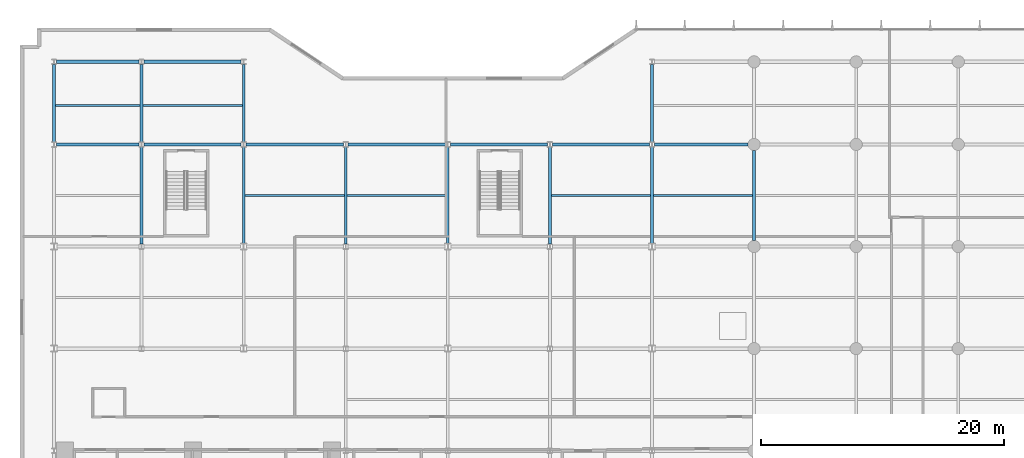
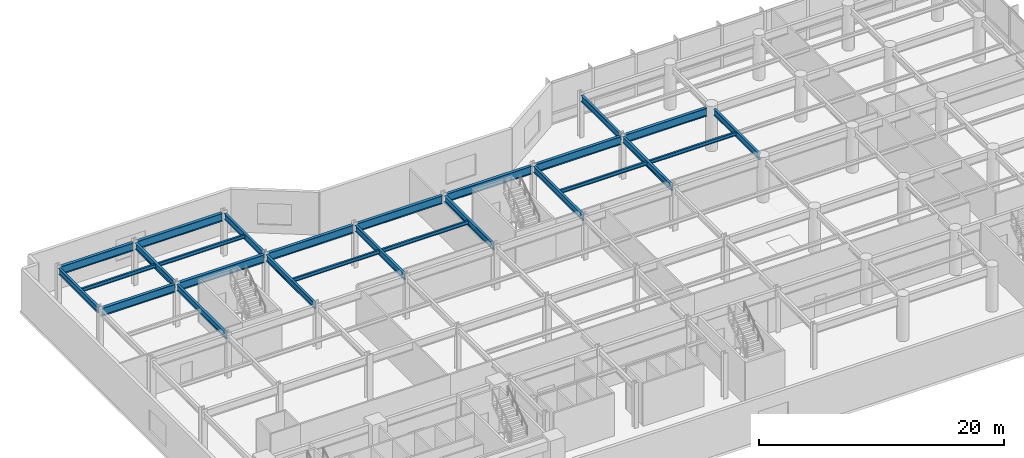
# One storey, part 4 of 26: 26 beams.
"""IFC4 building model written with IfcOpenShell, lengths in metres."""

from ifc_helpers import new_model, si_unit, direction, frame, origin, origin_2d, place, context, subcontext, project, spatial, i_section, extrude, material, material_profile, profile_set, type_object, element, save


model = new_model("IFC4")

# Units and contexts
model_context = context("Model", 3, precision=1e-05, world=origin(), true_north=direction((0.0, 1.0)))
body_context = subcontext(model_context, "Body", "Model", "MODEL_VIEW")
ifc_project = project(units=[si_unit("LENGTHUNIT", "METRE"), si_unit("AREAUNIT", "SQUARE_METRE"), si_unit("VOLUMEUNIT", "CUBIC_METRE"), si_unit("PLANEANGLEUNIT", "RADIAN"), si_unit("MASSUNIT", "GRAM", prefix="KILO")], contexts=[model_context])

# Site, building, storey
site_placement = place(None, origin())
site = spatial("IfcSite", under=ifc_project, at=site_placement, CompositionType="ELEMENT")
building_placement = place(site_placement, origin())
building = spatial("IfcBuilding", under=site, at=building_placement, Name="Varnakote Quay Hospital", CompositionType="ELEMENT")
storey_placement = place(building_placement, frame((0.0, 0.0, 9.0)))
storey = spatial("IfcBuildingStorey", under=building, at=storey_placement, Name="L02", CompositionType="ELEMENT", Elevation=9.0)

# Beams
ifc_material_1 = material(Name="Structural steel AS/NZS 3679.1 Grade 350 L0 (fy 340 MPa)", Category="steel")
ifc_material_profile_1 = material_profile(ifc_material_1, i_section(OverallWidth=0.22802734375, OverallDepth=0.60205078125, WebThickness=0.010498046875, FlangeThickness=0.014892578125, FilletRadius=0.013916015625, at=origin_2d()), Name="610UB101")
ifc_profile_set_1 = profile_set([ifc_material_profile_1], Name="Structural steel AS/NZS 3679.1 Grade 350 L0 (fy 340 MPa)")
beam_type_1 = type_object("IfcBeamType", Name="BM-STL-610UB101", PredefinedType="BEAM", material=ifc_profile_set_1)
beam_1_placement = place(storey_placement, frame((1.199951171875, 37.409912109375, 3.948974609375), z_axis=(0.0, 1.0, 0.0), x_axis=(-1.0, 0.0, 0.0)))
element("IfcBeam", 1, at=beam_1_placement, inside=storey, type_object=beam_type_1, Name="L02 Primary Tie Beam", PredefinedType="BEAM", context=body_context, shape_type="SweptSolid", body=[
    extrude(i_section(OverallWidth=0.22802734375, OverallDepth=0.60205078125, WebThickness=0.010498046875, FlangeThickness=0.014892578125, FilletRadius=0.013916015625, at=origin_2d()), origin(), (0.0, 0.0, 1.0), 6.380126953125),
])
beam_2_placement = place(storey_placement, frame((8.39990234375, 29.010009765625, 3.948974609375), z_axis=(0.0, 1.0, 0.0), x_axis=(-1.0, 0.0, 0.0)))
element("IfcBeam", 2, at=beam_2_placement, inside=storey, type_object=beam_type_1, Name="L02 Primary Tie Beam", PredefinedType="BEAM", context=body_context, shape_type="SweptSolid", body=[
    extrude(i_section(OverallWidth=0.22802734375, OverallDepth=0.60205078125, WebThickness=0.010498046875, FlangeThickness=0.014892578125, FilletRadius=0.013916015625, at=origin_2d()), origin(), (0.0, 0.0, 1.0), 7.97998046875),
])
beam_3_placement = place(storey_placement, frame((8.39990234375, 37.409912109375, 3.948974609375), z_axis=(0.0, 1.0, 0.0), x_axis=(-1.0, 0.0, 0.0)))
element("IfcBeam", 3, at=beam_3_placement, inside=storey, type_object=beam_type_1, Name="L02 Primary Tie Beam", PredefinedType="BEAM", context=body_context, shape_type="SweptSolid", body=[
    extrude(i_section(OverallWidth=0.22802734375, OverallDepth=0.60205078125, WebThickness=0.010498046875, FlangeThickness=0.014892578125, FilletRadius=0.013916015625, at=origin_2d()), origin(), (0.0, 0.0, 1.0), 6.380126953125),
])
beam_4_placement = place(storey_placement, frame((16.800048828125, 29.06494140625, 3.948974609375), z_axis=(0.0, 1.0, 0.0), x_axis=(-1.0, 0.0, 0.0)))
element("IfcBeam", 4, at=beam_4_placement, inside=storey, type_object=beam_type_1, Name="L02 Primary Tie Beam", PredefinedType="BEAM", context=body_context, shape_type="SweptSolid", body=[
    extrude(i_section(OverallWidth=0.22802734375, OverallDepth=0.60205078125, WebThickness=0.010498046875, FlangeThickness=0.014892578125, FilletRadius=0.013916015625, at=origin_2d()), origin(), (0.0, 0.0, 1.0), 7.925048828125),
])
beam_5_placement = place(storey_placement, frame((16.800048828125, 37.409912109375, 3.948974609375), z_axis=(0.0, 1.0, 0.0), x_axis=(-1.0, 0.0, 0.0)))
element("IfcBeam", 5, at=beam_5_placement, inside=storey, type_object=beam_type_1, Name="L02 Primary Tie Beam", PredefinedType="BEAM", context=body_context, shape_type="SweptSolid", body=[
    extrude(i_section(OverallWidth=0.22802734375, OverallDepth=0.60205078125, WebThickness=0.010498046875, FlangeThickness=0.014892578125, FilletRadius=0.013916015625, at=origin_2d()), origin(), (0.0, 0.0, 1.0), 6.380126953125),
])
beam_6_placement = place(storey_placement, frame((25.199951171875, 29.010009765625, 3.948974609375), z_axis=(0.0, 1.0, 0.0), x_axis=(-1.0, 0.0, 0.0)))
element("IfcBeam", 6, at=beam_6_placement, inside=storey, type_object=beam_type_1, Name="L02 Primary Tie Beam", PredefinedType="BEAM", context=body_context, shape_type="SweptSolid", body=[
    extrude(i_section(OverallWidth=0.22802734375, OverallDepth=0.60205078125, WebThickness=0.010498046875, FlangeThickness=0.014892578125, FilletRadius=0.013916015625, at=origin_2d()), origin(), (0.0, 0.0, 1.0), 7.97998046875),
])
beam_7_placement = place(storey_placement, frame((33.60009765625, 29.06494140625, 3.948974609375), z_axis=(0.0, 1.0, 0.0), x_axis=(-1.0, 0.0, 0.0)))
element("IfcBeam", 7, at=beam_7_placement, inside=storey, type_object=beam_type_1, Name="L02 Primary Tie Beam", PredefinedType="BEAM", context=body_context, shape_type="SweptSolid", body=[
    extrude(i_section(OverallWidth=0.22802734375, OverallDepth=0.60205078125, WebThickness=0.010498046875, FlangeThickness=0.014892578125, FilletRadius=0.013916015625, at=origin_2d()), origin(), (0.0, 0.0, 1.0), 7.925048828125),
])
beam_8_placement = place(storey_placement, frame((42.0, 29.010009765625, 3.948974609375), z_axis=(0.0, 1.0, 0.0), x_axis=(-1.0, 0.0, 0.0)))
element("IfcBeam", 8, at=beam_8_placement, inside=storey, type_object=beam_type_1, Name="L02 Primary Tie Beam", PredefinedType="BEAM", context=body_context, shape_type="SweptSolid", body=[
    extrude(i_section(OverallWidth=0.22802734375, OverallDepth=0.60205078125, WebThickness=0.010498046875, FlangeThickness=0.014892578125, FilletRadius=0.013916015625, at=origin_2d()), origin(), (0.0, 0.0, 1.0), 7.97998046875),
])
beam_9_placement = place(storey_placement, frame((50.39990234375, 29.06494140625, 3.948974609375), z_axis=(0.0, 1.0, 0.0), x_axis=(-1.0, 0.0, 0.0)))
element("IfcBeam", 9, at=beam_9_placement, inside=storey, type_object=beam_type_1, Name="L02 Primary Tie Beam", PredefinedType="BEAM", context=body_context, shape_type="SweptSolid", body=[
    extrude(i_section(OverallWidth=0.22802734375, OverallDepth=0.60205078125, WebThickness=0.010498046875, FlangeThickness=0.014892578125, FilletRadius=0.013916015625, at=origin_2d()), origin(), (0.0, 0.0, 1.0), 7.925048828125),
])
beam_10_placement = place(storey_placement, frame((50.39990234375, 37.409912109375, 3.948974609375), z_axis=(0.0, 1.0, 0.0), x_axis=(-1.0, 0.0, 0.0)))
element("IfcBeam", 10, at=beam_10_placement, inside=storey, type_object=beam_type_1, Name="L02 Primary Tie Beam", PredefinedType="BEAM", context=body_context, shape_type="SweptSolid", body=[
    extrude(i_section(OverallWidth=0.22802734375, OverallDepth=0.60205078125, WebThickness=0.010498046875, FlangeThickness=0.014892578125, FilletRadius=0.013916015625, at=origin_2d()), origin(), (0.0, 0.0, 1.0), 6.380126953125),
])
beam_11_placement = place(storey_placement, frame((58.800048828125, 29.300048828125, 3.948974609375), z_axis=(0.0, 1.0, 0.0), x_axis=(-1.0, 0.0, 0.0)))
element("IfcBeam", 11, at=beam_11_placement, inside=storey, type_object=beam_type_1, Name="L02 Primary Tie Beam", PredefinedType="BEAM", context=body_context, shape_type="SweptSolid", body=[
    extrude(i_section(OverallWidth=0.22802734375, OverallDepth=0.60205078125, WebThickness=0.010498046875, FlangeThickness=0.014892578125, FilletRadius=0.013916015625, at=origin_2d()), origin(), (0.0, 0.0, 1.0), 7.39990234375),
])
ifc_material_2 = material(Name="Structural steel AS/NZS 3678 Grade 350 (fy 340 MPa)", Category="steel")
ifc_material_profile_2 = material_profile(ifc_material_2, i_section(OverallWidth=0.27490234375, OverallDepth=0.800048828125, WebThickness=0.010009765625, FlangeThickness=0.02001953125, at=origin_2d()), Name="800WB146")
ifc_profile_set_2 = profile_set([ifc_material_profile_2], Name="Structural steel AS/NZS 3678 Grade 350 (fy 340 MPa)")
beam_type_2 = type_object("IfcBeamType", Name="BM-STL-800WB146", PredefinedType="BEAM", material=ifc_profile_set_2)
beam_12_placement = place(storey_placement, frame((1.39990234375, 37.199951171875, 3.85009765625), z_axis=(1.0, 0.0, 0.0), x_axis=(0.0, 1.0, 0.0)))
element("IfcBeam", 12, at=beam_12_placement, inside=storey, type_object=beam_type_2, Name="L02 Primary Floor Beam", PredefinedType="BEAM", context=body_context, shape_type="SweptSolid", body=[
    extrude(i_section(OverallWidth=0.27490234375, OverallDepth=0.800048828125, WebThickness=0.010009765625, FlangeThickness=0.02001953125, at=origin_2d()), origin(), (0.0, 0.0, 1.0), 6.800048828125),
])
for number, where, z_axis, x_axis, name in (
    (13, (8.60009765625, 37.199951171875, 3.85009765625), (1.0, 0.0, 0.0), (0.0, 1.0, 0.0), "L02 Primary Floor Beam"),
    (14, (17.0, 37.199951171875, 3.85009765625), (1.0, 0.0, 0.0), (0.0, 1.0, 0.0), "L02 Primary Floor Beam"),
    (15, (25.39990234375, 37.199951171875, 3.85009765625), (1.0, 0.0, 0.0), (0.0, 1.0, 0.0), "L02 Primary Floor Beam"),
    (16, (33.800048828125, 37.199951171875, 3.85009765625), (1.0, 0.0, 0.0), (0.0, 1.0, 0.0), "L02 Primary Floor Beam"),
    (17, (42.199951171875, 37.199951171875, 3.85009765625), (1.0, 0.0, 0.0), (0.0, 1.0, 0.0), "L02 Primary Floor Beam"),
):
    element("IfcBeam", number, at=place(storey_placement, frame(where, z_axis=z_axis, x_axis=x_axis)), inside=storey, type_object=beam_type_2, Name=name, PredefinedType="BEAM", context=body_context, shape_type="SweptSolid", body=[
        extrude(i_section(OverallWidth=0.27490234375, OverallDepth=0.800048828125, WebThickness=0.010009765625, FlangeThickness=0.02001953125, at=origin_2d()), origin(), (0.0, 0.0, 1.0), 8.0),
    ])
beam_13_placement = place(storey_placement, frame((50.60009765625, 37.199951171875, 3.85009765625), z_axis=(1.0, 0.0, 0.0), x_axis=(0.0, 1.0, 0.0)))
element("IfcBeam", 18, at=beam_13_placement, inside=storey, type_object=beam_type_2, Name="L02 Primary Floor Beam", PredefinedType="BEAM", context=body_context, shape_type="SweptSolid", body=[
    extrude(i_section(OverallWidth=0.27490234375, OverallDepth=0.800048828125, WebThickness=0.010009765625, FlangeThickness=0.02001953125, at=origin_2d()), origin(), (0.0, 0.0, 1.0), 7.699951171875),
])
beam_14_placement = place(storey_placement, frame((1.39990234375, 44.0, 3.85009765625), z_axis=(1.0, 0.0, 0.0), x_axis=(0.0, 1.0, 0.0)))
element("IfcBeam", 19, at=beam_14_placement, inside=storey, type_object=beam_type_2, Name="L02 Primary Floor Beam", PredefinedType="BEAM", context=body_context, shape_type="SweptSolid", body=[
    extrude(i_section(OverallWidth=0.27490234375, OverallDepth=0.800048828125, WebThickness=0.010009765625, FlangeThickness=0.02001953125, at=origin_2d()), origin(), (0.0, 0.0, 1.0), 6.800048828125),
])
beam_15_placement = place(storey_placement, frame((8.60009765625, 44.0, 3.85009765625), z_axis=(1.0, 0.0, 0.0), x_axis=(0.0, 1.0, 0.0)))
element("IfcBeam", 20, at=beam_15_placement, inside=storey, type_object=beam_type_2, Name="L02 Primary Floor Beam", PredefinedType="BEAM", context=body_context, shape_type="SweptSolid", body=[
    extrude(i_section(OverallWidth=0.27490234375, OverallDepth=0.800048828125, WebThickness=0.010009765625, FlangeThickness=0.02001953125, at=origin_2d()), origin(), (0.0, 0.0, 1.0), 8.0),
])
ifc_material_3 = material(Name="Structural steel AS/NZS 3679.1 Grade 350 L0 (fy 340 MPa)", Category="steel")
ifc_material_profile_3 = material_profile(ifc_material_3, i_section(OverallWidth=0.1708984375, OverallDepth=0.35595703125, WebThickness=0.00732421875, FlangeThickness=0.011474609375, FilletRadius=0.011474609375, at=origin_2d()), Name="360UB50.7")
ifc_profile_set_3 = profile_set([ifc_material_profile_3], Name="Structural steel AS/NZS 3679.1 Grade 350 L0 (fy 340 MPa)")
beam_type_3 = type_object("IfcBeamType", Name="JST-STL-360UB50-7", PredefinedType="JOIST", material=ifc_profile_set_3)
beam_16_placement = place(storey_placement, frame((16.9140625, 33.0, 4.072021484375), z_axis=(1.0, 0.0, 0.0), x_axis=(0.0, 1.0, 0.0)))
element("IfcBeam", 21, at=beam_16_placement, inside=storey, type_object=beam_type_3, Name="L02 Composite Floor Joist", PredefinedType="JOIST", context=body_context, shape_type="SweptSolid", body=[
    extrude(i_section(OverallWidth=0.1708984375, OverallDepth=0.35595703125, WebThickness=0.00732421875, FlangeThickness=0.011474609375, FilletRadius=0.011474609375, at=origin_2d()), origin(), (0.0, 0.0, 1.0), 8.171875),
])
beam_17_placement = place(storey_placement, frame((25.31396484375, 33.0, 4.072021484375), z_axis=(1.0, 0.0, 0.0), x_axis=(0.0, 1.0, 0.0)))
element("IfcBeam", 22, at=beam_17_placement, inside=storey, type_object=beam_type_3, Name="L02 Composite Floor Joist", PredefinedType="JOIST", context=body_context, shape_type="SweptSolid", body=[
    extrude(i_section(OverallWidth=0.1708984375, OverallDepth=0.35595703125, WebThickness=0.00732421875, FlangeThickness=0.011474609375, FilletRadius=0.011474609375, at=origin_2d()), origin(), (0.0, 0.0, 1.0), 8.172119140625),
])
beam_18_placement = place(storey_placement, frame((42.114013671875, 33.0, 4.072021484375), z_axis=(1.0, 0.0, 0.0), x_axis=(0.0, 1.0, 0.0)))
element("IfcBeam", 23, at=beam_18_placement, inside=storey, type_object=beam_type_3, Name="L02 Composite Floor Joist", PredefinedType="JOIST", context=body_context, shape_type="SweptSolid", body=[
    extrude(i_section(OverallWidth=0.1708984375, OverallDepth=0.35595703125, WebThickness=0.00732421875, FlangeThickness=0.011474609375, FilletRadius=0.011474609375, at=origin_2d()), origin(), (0.0, 0.0, 1.0), 8.171875),
])
beam_19_placement = place(storey_placement, frame((50.513916015625, 33.0, 4.072021484375), z_axis=(1.0, 0.0, 0.0), x_axis=(0.0, 1.0, 0.0)))
element("IfcBeam", 24, at=beam_19_placement, inside=storey, type_object=beam_type_3, Name="L02 Composite Floor Joist", PredefinedType="JOIST", context=body_context, shape_type="SweptSolid", body=[
    extrude(i_section(OverallWidth=0.1708984375, OverallDepth=0.35595703125, WebThickness=0.00732421875, FlangeThickness=0.011474609375, FilletRadius=0.011474609375, at=origin_2d()), origin(), (0.0, 0.0, 1.0), 8.172119140625),
])
beam_20_placement = place(storey_placement, frame((1.31396484375, 40.39990234375, 4.072021484375), z_axis=(1.0, 0.0, 0.0), x_axis=(0.0, 1.0, 0.0)))
element("IfcBeam", 25, at=beam_20_placement, inside=storey, type_object=beam_type_3, Name="L02 Composite Floor Joist", PredefinedType="JOIST", context=body_context, shape_type="SweptSolid", body=[
    extrude(i_section(OverallWidth=0.1708984375, OverallDepth=0.35595703125, WebThickness=0.00732421875, FlangeThickness=0.011474609375, FilletRadius=0.011474609375, at=origin_2d()), origin(), (0.0, 0.0, 1.0), 6.971923828125),
])
beam_21_placement = place(storey_placement, frame((8.513916015625, 40.39990234375, 4.072021484375), z_axis=(1.0, 0.0, 0.0), x_axis=(0.0, 1.0, 0.0)))
element("IfcBeam", 26, at=beam_21_placement, inside=storey, type_object=beam_type_3, Name="L02 Composite Floor Joist", PredefinedType="JOIST", context=body_context, shape_type="SweptSolid", body=[
    extrude(i_section(OverallWidth=0.1708984375, OverallDepth=0.35595703125, WebThickness=0.00732421875, FlangeThickness=0.011474609375, FilletRadius=0.011474609375, at=origin_2d()), origin(), (0.0, 0.0, 1.0), 8.172119140625),
])

save(model, "model.ifc")
